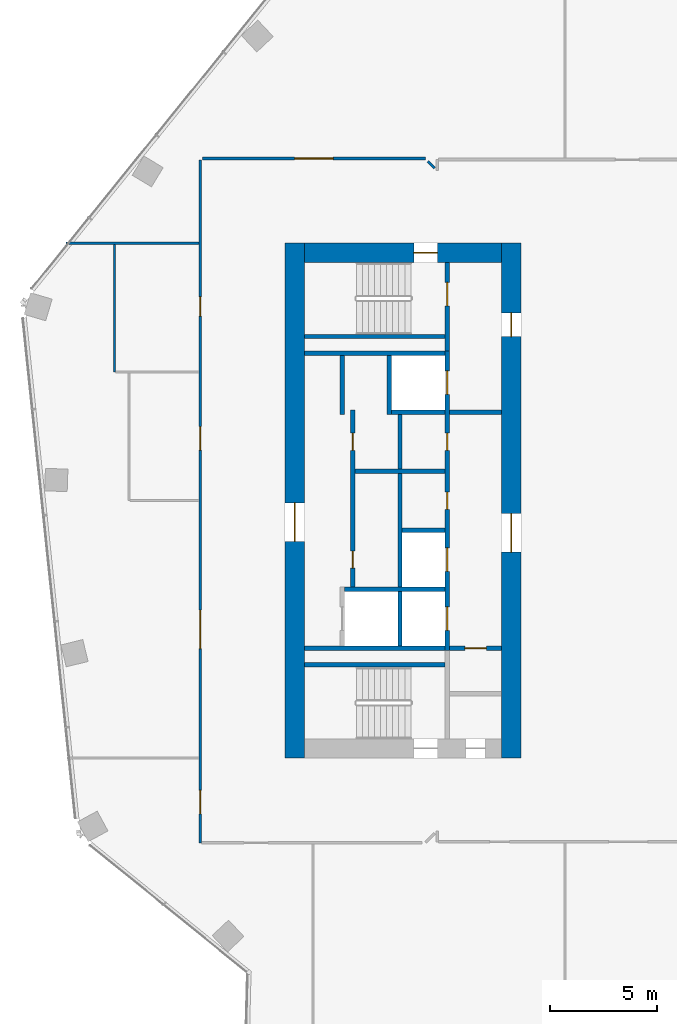
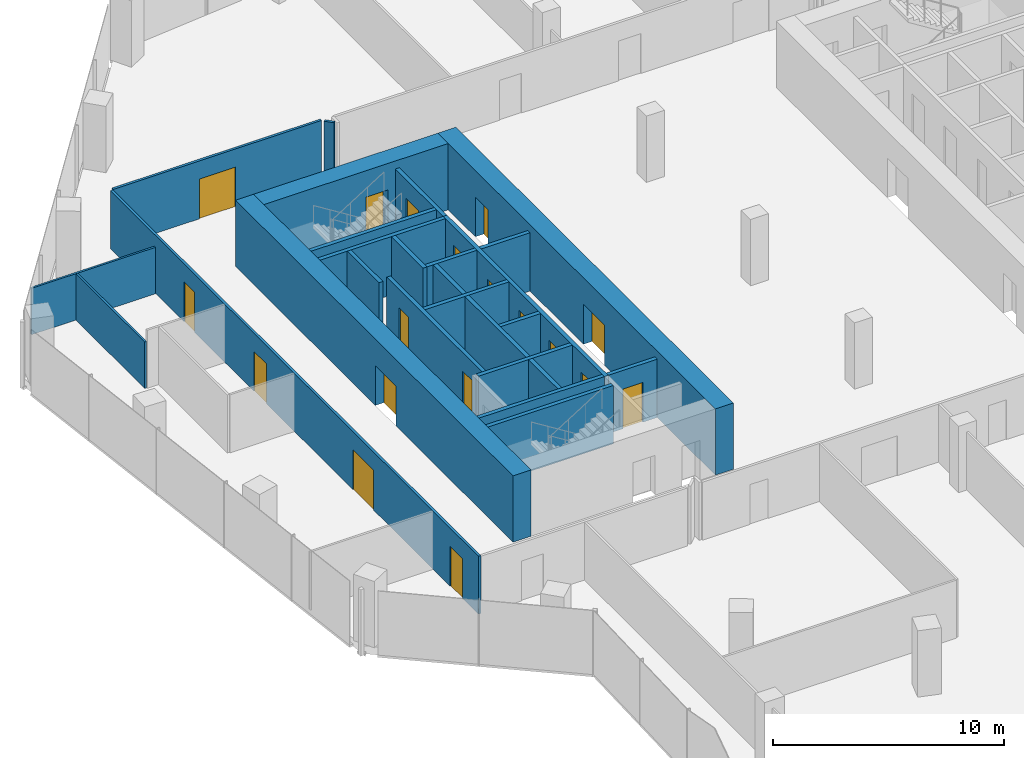
# One storey, part 19 of 23: 26 walls, 18 doors, 18 openings.
"""IFC4 building model written with IfcOpenShell, lengths in metres."""

import ifcopenshell
import ifcopenshell.guid

model = None  # the IFC model being written
_history = None  # IfcOwnerHistory: only IFC2X3 demands one
_inside = {}  # id of a spatial element -> (the spatial element, [elements in it])
_under = {}  # id of a project, library or spatial element -> (it, [spatial elements below it])
_declared = {}  # id of a project -> (the project, [libraries it declares])
_typed = {}  # id of a type object -> (the type object, [elements of that type])
_made_of = {}  # id of a material, layer set ... -> (it, [elements and type objects made of it])


def new_model(schema):
    """Start an empty IFC model of exactly this schema.

    Asked for "IFC4X3", IfcOpenShell would pick the latest addendum, in which some entities
    have other attributes; the version numbers below select the first issue.
    IFC2X3 requires an IfcOwnerHistory on every rooted entity: one is made here for all.
    """
    global model, _history
    if schema == "IFC4X3":
        model = ifcopenshell.file(schema_version=(4, 3, 0, 0))
    else:
        model = ifcopenshell.file(schema=schema)
    _inside.clear()
    _under.clear()
    _declared.clear()
    _typed.clear()
    _made_of.clear()
    _history = None
    if model.schema == "IFC2X3":
        org = make("IfcOrganization", Name="unknown")
        user = make(
            "IfcPersonAndOrganization",
            ThePerson=make("IfcPerson", FamilyName="unknown"),
            TheOrganization=org,
        )
        app = make(
            "IfcApplication",
            ApplicationDeveloper=org,
            Version="unknown",
            ApplicationFullName="unknown",
            ApplicationIdentifier="unknown",
        )
        _history = make(
            "IfcOwnerHistory",
            OwningUser=user,
            OwningApplication=app,
            ChangeAction="ADDED",
            CreationDate=0,
        )
    return model


def make(cls, **values):
    """One entity of the class cls with the attributes given. An attribute that is None is left unset."""
    return model.create_entity(
        cls, **{name: value for name, value in values.items() if value is not None}
    )


def rooted(cls, **values):
    """An entity with a GlobalId (a new one), such as an element, a storey or a relation."""
    return make(cls, GlobalId=ifcopenshell.guid.new(), OwnerHistory=_history, **values)


def si_unit(unit_type, name, prefix=None):
    """IfcSIUnit, for example si_unit("LENGTHUNIT", "METRE", prefix="MILLI")."""
    return make("IfcSIUnit", UnitType=unit_type, Prefix=prefix, Name=name)


def assignment(units):
    """IfcUnitAssignment: the units of a project."""
    return None if units is None else make("IfcUnitAssignment", Units=units)


def point(xyz):
    """IfcCartesianPoint."""
    return None if xyz is None else make("IfcCartesianPoint", Coordinates=xyz)


def direction(xyz):
    """IfcDirection."""
    return None if xyz is None else make("IfcDirection", DirectionRatios=xyz)


def frame(location, z_axis=None, x_axis=None):
    """IfcAxis2Placement3D, a coordinate frame: its origin and axes. An axis left out is left unset."""
    return make(
        "IfcAxis2Placement3D",
        Location=point(location),
        Axis=direction(z_axis),
        RefDirection=direction(x_axis),
    )


def frame_2d(location, x_axis=None):
    """IfcAxis2Placement2D, a coordinate frame in the plane: its origin and x axis."""
    return make(
        "IfcAxis2Placement2D", Location=point(location), RefDirection=direction(x_axis)
    )


def origin():
    """The frame at (0, 0, 0) with its axes left unset."""
    return frame((0.0, 0.0, 0.0))


def place(relative_to, where):
    """IfcLocalPlacement: puts the frame where relative to a parent placement (None: the world)."""
    return make(
        "IfcLocalPlacement", PlacementRelTo=relative_to, RelativePlacement=where
    )


def context(
    kind, dimensions, precision=None, world=None, true_north=None, identifier=None
):
    """IfcGeometricRepresentationContext, for example the 3D "Model" context."""
    return make(
        "IfcGeometricRepresentationContext",
        ContextIdentifier=identifier,
        ContextType=kind,
        CoordinateSpaceDimension=dimensions,
        Precision=precision,
        WorldCoordinateSystem=world,
        TrueNorth=true_north,
    )


def subcontext(parent, identifier, kind, view, scale=None):
    """IfcGeometricRepresentationSubContext, for example "Body" below "Model"."""
    return make(
        "IfcGeometricRepresentationSubContext",
        ContextIdentifier=identifier,
        ContextType=kind,
        ParentContext=parent,
        TargetScale=scale,
        TargetView=view,
    )


def project(units=None, contexts=None):
    """IfcProject with its units and contexts."""
    return rooted(
        "IfcProject",
        Name="project",
        RepresentationContexts=contexts,
        UnitsInContext=assignment(units),
    )


def spatial(cls, under=None, at=None, **own):
    """A site, building, storey or space (cls), placed at a placement, below another one or the project."""
    s = rooted(cls, ObjectPlacement=at, **own)
    if under is not None:
        _under.setdefault(under.id(), (under, []))[1].append(s)
    return s


def profile(cls, at=None, kind="AREA", **sizes):
    """A parametric profile (cls). Its sizes go by their IFC names, for example OverallWidth=200.0."""
    return make(cls, ProfileType=kind, Position=at, **sizes)


def rectangle(**sizes):
    """IfcRectangleProfileDef."""
    return profile("IfcRectangleProfileDef", **sizes)


def extrude(swept, where, along, depth):
    """IfcExtrudedAreaSolid: the profile swept, set in the frame where, extruded along a direction by depth."""
    return make(
        "IfcExtrudedAreaSolid",
        SweptArea=swept,
        Position=where,
        ExtrudedDirection=direction(along),
        Depth=depth,
    )


def shape(context_of_items, identifier, shape_type, items):
    """IfcShapeRepresentation: the items that make up one representation, for example the "Body"."""
    return make(
        "IfcShapeRepresentation",
        ContextOfItems=context_of_items,
        RepresentationIdentifier=identifier,
        RepresentationType=shape_type,
        Items=items,
    )


def material(Name=None, Category=None):
    """IfcMaterial."""
    return make("IfcMaterial", Name=Name, Category=Category)


def layer(
    of_material, thickness, ventilated=None, Name=None, Category=None, Priority=None
):
    """IfcMaterialLayer: one layer of a wall or slab, of a material (None: an air gap)."""
    return make(
        "IfcMaterialLayer",
        Material=of_material,
        LayerThickness=thickness,
        IsVentilated=ventilated,
        Name=Name,
        Category=Category,
        Priority=Priority,
    )


def layer_set(layers, Name=None):
    """IfcMaterialLayerSet."""
    return make("IfcMaterialLayerSet", MaterialLayers=layers, LayerSetName=Name)


def made_of(thing, what):
    """Note that an element or type object is made of a material, layer set ...; save() writes the relation."""
    if what is not None:
        _made_of.setdefault(what.id(), (what, []))[1].append(thing)
    return thing


def type_object(cls, material=None, **own):
    """A type object (cls), such as IfcWallType, which elements share."""
    return made_of(rooted(cls, **own), material)


def element(
    cls,
    number,
    at=None,
    inside=None,
    cuts=None,
    type_object=None,
    material=None,
    context=None,
    identifier="Body",
    shape_type=None,
    held_by="IfcProductDefinitionShape",
    body=None,
    shapes=None,
    **own,
):
    """One element of the class cls, such as IfcWall. Its Tag is "e" and its number.

    at: its placement. inside: the storey or other place that contains it. cuts: it is an
    opening in that element (IfcRelVoidsElement). A single representation is given by context,
    identifier, shape_type and body (its items); several are given by shapes. held_by: the class
    of the entity that holds the representations. save() writes the other relations.
    """
    e = rooted(cls, Tag="e%d" % number, ObjectPlacement=at, **own)
    if body is not None:
        shapes = [shape(context, identifier, shape_type, body)]
    if shapes is not None:
        e.Representation = make(held_by, Representations=shapes)
    if inside is not None:
        _inside.setdefault(inside.id(), (inside, []))[1].append(e)
    if cuts is not None:
        rooted(
            "IfcRelVoidsElement", RelatingBuildingElement=cuts, RelatedOpeningElement=e
        )
    if type_object is not None:
        _typed.setdefault(type_object.id(), (type_object, []))[1].append(e)
    return made_of(e, material)


def fill(opening, filler):
    """IfcRelFillsElement: the door or window that sits in an opening."""
    return rooted(
        "IfcRelFillsElement",
        RelatingOpeningElement=opening,
        RelatedBuildingElement=filler,
    )


def aggregate(whole, parts):
    """IfcRelAggregates: a whole, such as a stair, and the parts it consists of."""
    return rooted("IfcRelAggregates", RelatingObject=whole, RelatedObjects=parts)


def save(model, path):
    """Write the relations noted so far, then the file.

    IfcRelAggregates (storeys below a building ...), IfcRelContainedInSpatialStructure (elements
    in a storey), IfcRelDefinesByType, IfcRelAssociatesMaterial and IfcRelDeclares: one each for
    every whole, place, type object, material and project.
    """
    for whole, parts in _under.values():
        aggregate(whole, parts)
    for where, things in _inside.values():
        rooted(
            "IfcRelContainedInSpatialStructure",
            RelatedElements=things,
            RelatingStructure=where,
        )
    for kind, things in _typed.values():
        rooted("IfcRelDefinesByType", RelatedObjects=things, RelatingType=kind)
    for what, things in _made_of.values():
        rooted("IfcRelAssociatesMaterial", RelatedObjects=things, RelatingMaterial=what)
    for by, libraries in _declared.values():
        rooted("IfcRelDeclares", RelatingContext=by, RelatedDefinitions=libraries)
    model.write(path)


model = new_model("IFC4")

# Units and contexts
model_context = context("Model", 3, precision=1e-05, world=origin(), true_north=direction((0.0, 1.0)))
body_context = subcontext(model_context, "Body", "Model", "MODEL_VIEW")
ifc_project = project(units=[si_unit("LENGTHUNIT", "METRE"), si_unit("AREAUNIT", "SQUARE_METRE"), si_unit("VOLUMEUNIT", "CUBIC_METRE"), si_unit("PLANEANGLEUNIT", "RADIAN"), si_unit("MASSUNIT", "GRAM", prefix="KILO")], contexts=[model_context])

# Site, building, storey
site_placement = place(None, origin())
site = spatial("IfcSite", under=ifc_project, at=site_placement, CompositionType="ELEMENT")
building_placement = place(site_placement, origin())
building = spatial("IfcBuilding", under=site, at=building_placement, Name="Orlundy Tower", CompositionType="ELEMENT")
storey_placement = place(building_placement, frame((0.0, 0.0, 221.0)))
storey = spatial("IfcBuildingStorey", under=building, at=storey_placement, Name="L58", CompositionType="ELEMENT", Elevation=221.0)

# Wall, opening, door
ifc_material_1 = material(Name="Concrete C60/75", Category="concrete")
ifc_layer_1 = layer(ifc_material_1, 0.89990234375)
ifc_layer_set_1 = layer_set([ifc_layer_1], Name="CORE WALL 900 C60/75")
wall_type_1 = type_object("IfcWallType", Name="CORE WALL 900 C60/75", PredefinedType="SHEAR", material=ifc_layer_set_1)
wall_1_placement = place(storey_placement, frame((-18.10009765625, 11.550048828125, 0.0), z_axis=(0.0, 0.0, 1.0), x_axis=(1.0, 0.0, 0.0)))
wall_1 = element("IfcWall", 1, at=wall_1_placement, inside=storey, type_object=wall_type_1, Name="Core wall W-N L58", PredefinedType="SHEAR", context=body_context, shape_type="SweptSolid", body=[
    extrude(rectangle(XDim=9.2001953125, YDim=0.89990234375, at=frame_2d((4.60009765625, 0.0))), origin(), (0.0, 0.0, 1.0), 3.5),
])
opening_1_placement = place(wall_1_placement, frame((5.10009765625, 0.0, 0.0)))
opening_1 = element("IfcOpeningElement", 2, at=opening_1_placement, cuts=wall_1, Name="Opening 45012", PredefinedType="OPENING", context=body_context, shape_type="SweptSolid", body=[
    extrude(rectangle(XDim=1.10009765625, YDim=2.10009765625, at=frame_2d((0.550048828125, 1.050048828125))), frame((0.0, 0.4599609375, 0.0), z_axis=(0.0, -1.0, 0.0), x_axis=(1.0, 0.0, 0.0)), (0.0, 0.0, 1.0), 0.919921875),
])
ifc_material_2 = material(Name="Steel door set", Category="steel")
door_type_1 = type_object("IfcDoorType", Name="Stair Door 1100x2100", OperationType="SINGLE_SWING_LEFT", PredefinedType="DOOR", material=ifc_material_2)
door_1_placement = place(opening_1_placement, origin())
door_1 = element("IfcDoor", 3, at=door_1_placement, inside=storey, type_object=door_type_1, Name="Stair door 45012", OperationType="SINGLE_SWING_RIGHT", OverallHeight=2.10009765625, OverallWidth=1.10009765625, PredefinedType="DOOR", context=body_context, shape_type="SweptSolid", body=[
    extrude(rectangle(XDim=1.10009765625, YDim=2.10009765625, at=frame_2d((0.550048828125, 1.050048828125))), frame((0.0, 0.02490234375, 0.0), z_axis=(0.0, -1.0, 0.0), x_axis=(1.0, 0.0, 0.0)), (0.0, 0.0, 1.0), 0.050048828125),
])
fill(opening_1, door_1)

wall_2_placement = place(storey_placement, frame((-18.550048828125, -12.0, 0.0), z_axis=(0.0, 0.0, 1.0), x_axis=(0.0, 1.0, 0.0)))
wall_2 = element("IfcWall", 4, at=wall_2_placement, inside=storey, type_object=wall_type_1, Name="Core wall W-W L58", PredefinedType="SHEAR", context=body_context, shape_type="SweptSolid", body=[
    extrude(rectangle(XDim=24.0, YDim=0.89990234375, at=frame_2d((12.0, 0.0))), origin(), (0.0, 0.0, 1.0), 3.5),
])
opening_2_placement = place(wall_2_placement, frame((10.10009765625, 0.0, 0.0)))
opening_2 = element("IfcOpeningElement", 5, at=opening_2_placement, cuts=wall_2, Name="Opening 45010", PredefinedType="OPENING", context=body_context, shape_type="SweptSolid", body=[
    extrude(rectangle(XDim=1.800048828125, YDim=2.10009765625, at=frame_2d((0.89990234375, 1.050048828125))), frame((0.0, 0.4599609375, 0.0), z_axis=(0.0, -1.0, 0.0), x_axis=(1.0, 0.0, 0.0)), (0.0, 0.0, 1.0), 0.919921875),
])
ifc_material_3 = material(Name="Timber door set", Category="wood")
door_type_2 = type_object("IfcDoorType", Name="Lobby Door 1800x2100", OperationType="DOUBLE_DOOR_DOUBLE_SWING", PredefinedType="DOOR", material=ifc_material_3)
door_2_placement = place(opening_2_placement, origin())
door_2 = element("IfcDoor", 6, at=door_2_placement, inside=storey, type_object=door_type_2, Name="Lift lobby door 45010", OperationType="SINGLE_SWING_LEFT", OverallHeight=2.10009765625, OverallWidth=1.800048828125, PredefinedType="DOOR", context=body_context, shape_type="SweptSolid", body=[
    extrude(rectangle(XDim=1.800048828125, YDim=2.10009765625, at=frame_2d((0.89990234375, 1.050048828125))), frame((0.0, 0.02490234375, 0.0), z_axis=(0.0, -1.0, 0.0), x_axis=(1.0, 0.0, 0.0)), (0.0, 0.0, 1.0), 0.050048828125),
])
fill(opening_2, door_2)

# Wall, openings, doors
wall_3_placement = place(storey_placement, frame((-8.449951171875, -12.0, 0.0), z_axis=(0.0, 0.0, 1.0), x_axis=(0.0, 1.0, 0.0)))
wall_3 = element("IfcWall", 7, at=wall_3_placement, inside=storey, type_object=wall_type_1, Name="Core wall W-E L58", PredefinedType="SHEAR", context=body_context, shape_type="SweptSolid", body=[
    extrude(rectangle(XDim=24.0, YDim=0.89990234375, at=frame_2d((12.0, 0.0))), origin(), (0.0, 0.0, 1.0), 3.5),
])
opening_3_placement = place(wall_3_placement, frame((9.60009765625, 0.0, 0.0)))
opening_3 = element("IfcOpeningElement", 8, at=opening_3_placement, cuts=wall_3, Name="Opening 45009", PredefinedType="OPENING", context=body_context, shape_type="SweptSolid", body=[
    extrude(rectangle(XDim=1.800048828125, YDim=2.10009765625, at=frame_2d((0.89990234375, 1.050048828125))), frame((0.0, 0.4599609375, 0.0), z_axis=(0.0, -1.0, 0.0), x_axis=(1.0, 0.0, 0.0)), (0.0, 0.0, 1.0), 0.919921875),
])
opening_4_placement = place(wall_3_placement, frame((19.64990234375, 0.0, 0.0)))
opening_4 = element("IfcOpeningElement", 9, at=opening_4_placement, cuts=wall_3, Name="Opening 45011", PredefinedType="OPENING", context=body_context, shape_type="SweptSolid", body=[
    extrude(rectangle(XDim=1.10009765625, YDim=2.10009765625, at=frame_2d((0.550048828125, 1.050048828125))), frame((0.0, 0.4599609375, 0.0), z_axis=(0.0, -1.0, 0.0), x_axis=(1.0, 0.0, 0.0)), (0.0, 0.0, 1.0), 0.919921875),
])
ifc_material_4 = material(Name="Steel door set", Category="steel")
door_type_3 = type_object("IfcDoorType", Name="Fire-fighting Lobby Door 1100x2100", OperationType="SINGLE_SWING_LEFT", PredefinedType="DOOR", material=ifc_material_4)
door_3_placement = place(opening_4_placement, origin())
door_3 = element("IfcDoor", 10, at=door_3_placement, inside=storey, type_object=door_type_3, Name="Fire-fighting lobby door 45011", OperationType="SINGLE_SWING_RIGHT", OverallHeight=2.10009765625, OverallWidth=1.10009765625, PredefinedType="DOOR", context=body_context, shape_type="SweptSolid", body=[
    extrude(rectangle(XDim=1.10009765625, YDim=2.10009765625, at=frame_2d((0.550048828125, 1.050048828125))), frame((0.0, 0.02490234375, 0.0), z_axis=(0.0, -1.0, 0.0), x_axis=(1.0, 0.0, 0.0)), (0.0, 0.0, 1.0), 0.050048828125),
])
fill(opening_4, door_3)
door_4_placement = place(opening_3_placement, origin())
door_4 = element("IfcDoor", 11, at=door_4_placement, inside=storey, type_object=door_type_2, Name="Lift lobby door 45009", OperationType="SINGLE_SWING_LEFT", OverallHeight=2.10009765625, OverallWidth=1.800048828125, PredefinedType="DOOR", context=body_context, shape_type="SweptSolid", body=[
    extrude(rectangle(XDim=1.800048828125, YDim=2.10009765625, at=frame_2d((0.89990234375, 1.050048828125))), frame((0.0, 0.02490234375, 0.0), z_axis=(0.0, -1.0, 0.0), x_axis=(1.0, 0.0, 0.0)), (0.0, 0.0, 1.0), 0.050048828125),
])
fill(opening_3, door_4)

# Walls
ifc_material_5 = material(Name="Gypsum board partition")
ifc_layer_2 = layer(ifc_material_5, 0.10009765625)
ifc_layer_set_2 = layer_set([ifc_layer_2], Name="Floor partition 100 B")
wall_type_2 = type_object("IfcWallType", Name="Floor partition 100 B", PredefinedType="PARTITIONING", material=ifc_layer_set_2)
wall_4_placement = place(storey_placement, frame((-29.20703125, 12.0, 0.0), z_axis=(0.0, 0.0, 1.0), x_axis=(1.0, 0.0, 0.0)))
element("IfcWall", 12, at=wall_4_placement, inside=storey, type_object=wall_type_2, Name="wall-int-L58-013", PredefinedType="PARTITIONING", context=body_context, shape_type="SweptSolid", body=[
    extrude(rectangle(XDim=6.195068359375, YDim=0.10009765625, at=frame_2d((3.09765625, 0.0))), origin(), (0.0, 0.0, 1.0), 2.448974609375),
])
wall_5_placement = place(storey_placement, frame((-26.947998046875, 6.0009765625, 0.0), z_axis=(0.0, 0.0, 1.0), x_axis=(0.0, 1.0, 0.0)))
element("IfcWall", 13, at=wall_5_placement, inside=storey, type_object=wall_type_2, Name="wall-int-L58-036", PredefinedType="PARTITIONING", context=body_context, shape_type="SweptSolid", body=[
    extrude(rectangle(XDim=5.948974609375, YDim=0.10009765625, at=frame_2d((2.974609375, 0.0))), origin(), (0.0, 0.0, 1.0), 2.448974609375),
])
ifc_material_6 = material(Name="Gypsum board partition, double layer")
ifc_layer_3 = layer(ifc_material_6, 0.125)
ifc_layer_set_3 = layer_set([ifc_layer_3], Name="Floor partition 125")
wall_type_3 = type_object("IfcWallType", Name="Floor partition 125", PredefinedType="PARTITIONING", material=ifc_layer_set_3)
wall_6_placement = place(storey_placement, frame((-12.345947265625, 15.823974609375, 0.0), z_axis=(0.0, 0.0, 1.0), x_axis=(0.707106781187, -0.707106781187, 0.0)))
element("IfcWall", 14, at=wall_6_placement, inside=storey, type_object=wall_type_3, Name="wall-int-L58-002", PredefinedType="PARTITIONING", context=body_context, shape_type="SweptSolid", body=[
    extrude(rectangle(XDim=0.4482421875, YDim=0.125, at=frame_2d((0.22412109375, 0.0))), origin(), (0.0, 0.0, 1.0), 3.06005859375),
])

# Wall, opening, door
wall_7_placement = place(storey_placement, frame((-22.844970703125, 15.950927734375, 0.0), z_axis=(0.0, 0.0, 1.0), x_axis=(1.0, 0.0, 0.0)))
wall_7 = element("IfcWall", 15, at=wall_7_placement, inside=storey, type_object=wall_type_3, Name="wall-int-L58-016", PredefinedType="PARTITIONING", context=body_context, shape_type="SweptSolid", body=[
    extrude(rectangle(XDim=10.385009765625, YDim=0.125, at=frame_2d((5.1923828125, 0.0))), origin(), (0.0, 0.0, 1.0), 3.06005859375),
])
opening_5_placement = place(wall_7_placement, frame((4.28759765625, 0.0, 0.0)))
opening_5 = element("IfcOpeningElement", 16, at=opening_5_placement, cuts=wall_7, Name="Opening 45114", PredefinedType="OPENING", context=body_context, shape_type="SweptSolid", body=[
    extrude(rectangle(XDim=1.800048828125, YDim=2.10009765625, at=frame_2d((0.89990234375, 1.050048828125))), frame((0.0, 0.072509765625, 0.0), z_axis=(0.0, -1.0, 0.0), x_axis=(1.0, 0.0, 0.0)), (0.0, 0.0, 1.0), 0.14501953125),
])
ifc_material_7 = material(Name="Timber door leaf", Category="wood")
door_type_4 = type_object("IfcDoorType", Name="Floor door double 1800 FD30S", OperationType="NOTDEFINED", PredefinedType="DOOR", material=ifc_material_7)
door_5_placement = place(opening_5_placement, origin())
door_5 = element("IfcDoor", 17, at=door_5_placement, inside=storey, type_object=door_type_4, Name="Door 45114", OperationType="DOUBLE_DOOR_SINGLE_SWING", OverallHeight=2.10009765625, OverallWidth=1.800048828125, PredefinedType="DOOR", context=body_context, shape_type="SweptSolid", body=[
    extrude(rectangle(XDim=1.800048828125, YDim=2.10009765625, at=frame_2d((0.89990234375, 1.050048828125))), frame((0.0, 0.02490234375, 0.0), z_axis=(0.0, -1.0, 0.0), x_axis=(1.0, 0.0, 0.0)), (0.0, 0.0, 1.0), 0.050048828125),
])
fill(opening_5, door_5)

# Wall, openings, doors
wall_8_placement = place(storey_placement, frame((-22.949951171875, -15.950927734375, 0.0), z_axis=(0.0, 0.0, 1.0), x_axis=(0.0, 1.0, 0.0)))
wall_8 = element("IfcWall", 18, at=wall_8_placement, inside=storey, type_object=wall_type_3, Name="wall-int-L58-034", PredefinedType="PARTITIONING", context=body_context, shape_type="SweptSolid", body=[
    extrude(rectangle(XDim=31.828857421875, YDim=0.125, at=frame_2d((15.91455078125, 0.0))), origin(), (0.0, 0.0, 1.0), 3.06005859375),
])
opening_6_placement = place(wall_8_placement, frame((1.35009765625, 0.0, 0.0)))
opening_6 = element("IfcOpeningElement", 19, at=opening_6_placement, cuts=wall_8, Name="Opening 45100", PredefinedType="OPENING", context=body_context, shape_type="SweptSolid", body=[
    extrude(rectangle(XDim=1.10009765625, YDim=2.10009765625, at=frame_2d((0.550048828125, 1.050048828125))), frame((0.0, 0.072509765625, 0.0), z_axis=(0.0, -1.0, 0.0), x_axis=(1.0, 0.0, 0.0)), (0.0, 0.0, 1.0), 0.14501953125),
])
opening_7_placement = place(wall_8_placement, frame((9.051025390625, 0.0, 0.0)))
opening_7 = element("IfcOpeningElement", 20, at=opening_7_placement, cuts=wall_8, Name="Opening 45115", PredefinedType="OPENING", context=body_context, shape_type="SweptSolid", body=[
    extrude(rectangle(XDim=1.800048828125, YDim=2.10009765625, at=frame_2d((0.89990234375, 1.050048828125))), frame((0.0, 0.072509765625, 0.0), z_axis=(0.0, -1.0, 0.0), x_axis=(1.0, 0.0, 0.0)), (0.0, 0.0, 1.0), 0.14501953125),
])
opening_8_placement = place(wall_8_placement, frame((24.552001953125, 0.0, 0.0)))
opening_8 = element("IfcOpeningElement", 21, at=opening_8_placement, cuts=wall_8, Name="Opening 45116", PredefinedType="OPENING", context=body_context, shape_type="SweptSolid", body=[
    extrude(rectangle(XDim=0.89990234375, YDim=2.10009765625, at=frame_2d((0.449951171875, 1.050048828125))), frame((0.0, 0.072509765625, 0.0), z_axis=(0.0, -1.0, 0.0), x_axis=(1.0, 0.0, 0.0)), (0.0, 0.0, 1.0), 0.14501953125),
])
opening_9_placement = place(wall_8_placement, frame((18.302978515625, 0.0, 0.0)))
opening_9 = element("IfcOpeningElement", 22, at=opening_9_placement, cuts=wall_8, Name="Opening 45117", PredefinedType="OPENING", context=body_context, shape_type="SweptSolid", body=[
    extrude(rectangle(XDim=1.10009765625, YDim=2.10009765625, at=frame_2d((0.550048828125, 1.050048828125))), frame((0.0, 0.072509765625, 0.0), z_axis=(0.0, -1.0, 0.0), x_axis=(1.0, 0.0, 0.0)), (0.0, 0.0, 1.0), 0.14501953125),
])
door_6_placement = place(opening_7_placement, origin())
door_6 = element("IfcDoor", 23, at=door_6_placement, inside=storey, type_object=door_type_4, Name="Door 45115", OperationType="DOUBLE_DOOR_SINGLE_SWING", OverallHeight=2.10009765625, OverallWidth=1.800048828125, PredefinedType="DOOR", context=body_context, shape_type="SweptSolid", body=[
    extrude(rectangle(XDim=1.800048828125, YDim=2.10009765625, at=frame_2d((0.89990234375, 1.050048828125))), frame((0.0, 0.02490234375, 0.0), z_axis=(0.0, -1.0, 0.0), x_axis=(1.0, 0.0, 0.0)), (0.0, 0.0, 1.0), 0.050048828125),
])
fill(opening_7, door_6)
ifc_material_8 = material(Name="Timber door leaf", Category="wood")
door_type_5 = type_object("IfcDoorType", Name="Floor door single 900 FD30S", OperationType="NOTDEFINED", PredefinedType="DOOR", material=ifc_material_8)
door_7_placement = place(opening_8_placement, origin())
door_7 = element("IfcDoor", 24, at=door_7_placement, inside=storey, type_object=door_type_5, Name="Door 45116", OperationType="SINGLE_SWING_RIGHT", OverallHeight=2.10009765625, OverallWidth=0.89990234375, PredefinedType="DOOR", context=body_context, shape_type="SweptSolid", body=[
    extrude(rectangle(XDim=0.89990234375, YDim=2.10009765625, at=frame_2d((0.449951171875, 1.050048828125))), frame((0.0, 0.02490234375, 0.0), z_axis=(0.0, -1.0, 0.0), x_axis=(1.0, 0.0, 0.0)), (0.0, 0.0, 1.0), 0.050048828125),
])
fill(opening_8, door_7)
ifc_material_9 = material(Name="Timber door leaf", Category="wood")
door_type_6 = type_object("IfcDoorType", Name="Floor door xwide 1100 FD30S", OperationType="NOTDEFINED", PredefinedType="DOOR", material=ifc_material_9)
door_8_placement = place(opening_6_placement, origin())
door_8 = element("IfcDoor", 25, at=door_8_placement, inside=storey, type_object=door_type_6, Name="Door 45100", OperationType="SINGLE_SWING_LEFT", OverallHeight=2.10009765625, OverallWidth=1.10009765625, PredefinedType="DOOR", context=body_context, shape_type="SweptSolid", body=[
    extrude(rectangle(XDim=1.10009765625, YDim=2.10009765625, at=frame_2d((0.550048828125, 1.050048828125))), frame((0.0, 0.02490234375, 0.0), z_axis=(0.0, -1.0, 0.0), x_axis=(1.0, 0.0, 0.0)), (0.0, 0.0, 1.0), 0.050048828125),
])
fill(opening_6, door_8)
door_9_placement = place(opening_9_placement, origin())
door_9 = element("IfcDoor", 26, at=door_9_placement, inside=storey, type_object=door_type_6, Name="Door 45117", OperationType="SINGLE_SWING_RIGHT", OverallHeight=2.10009765625, OverallWidth=1.10009765625, PredefinedType="DOOR", context=body_context, shape_type="SweptSolid", body=[
    extrude(rectangle(XDim=1.10009765625, YDim=2.10009765625, at=frame_2d((0.550048828125, 1.050048828125))), frame((0.0, 0.02490234375, 0.0), z_axis=(0.0, -1.0, 0.0), x_axis=(1.0, 0.0, 0.0)), (0.0, 0.0, 1.0), 0.050048828125),
])
fill(opening_9, door_9)

# Wall, opening, door
ifc_material_10 = material(Name="Concrete C40/50", Category="concrete")
ifc_layer_4 = layer(ifc_material_10, 0.199951171875)
ifc_layer_set_4 = layer_set([ifc_layer_4], Name="Load-bearing Shaft Wall 200")
wall_type_4 = type_object("IfcWallType", Name="Load-bearing Shaft Wall 200", PredefinedType="SOLIDWALL", material=ifc_layer_set_4)
wall_9_placement = place(storey_placement, frame((-11.43994140625, 6.97509765625, 0.0), z_axis=(0.0, 0.0, 1.0), x_axis=(0.0, 1.0, 0.0)))
wall_9 = element("IfcWall", 27, at=wall_9_placement, inside=storey, type_object=wall_type_4, Name="Shaft wall W45-stair-end-n", PredefinedType="SOLIDWALL", context=body_context, shape_type="SweptSolid", body=[
    extrude(rectangle(XDim=4.125, YDim=0.199951171875, at=frame_2d((2.0625, 0.0))), origin(), (0.0, 0.0, 1.0), 3.080078125),
])
opening_10_placement = place(wall_9_placement, frame((2.10009765625, 0.0, 0.0)))
opening_10 = element("IfcOpeningElement", 28, at=opening_10_placement, cuts=wall_9, Name="Opening 45014", PredefinedType="OPENING", context=body_context, shape_type="SweptSolid", body=[
    extrude(rectangle(XDim=1.10009765625, YDim=2.10009765625, at=frame_2d((0.550048828125, 1.050048828125))), frame((0.0, 0.110107421875, 0.0), z_axis=(0.0, -1.0, 0.0), x_axis=(1.0, 0.0, 0.0)), (0.0, 0.0, 1.0), 0.22021484375),
])
door_10_placement = place(opening_10_placement, origin())
door_10 = element("IfcDoor", 29, at=door_10_placement, inside=storey, type_object=door_type_3, Name="Fire-fighting lobby to stair door 45014", OperationType="SINGLE_SWING_RIGHT", OverallHeight=2.10009765625, OverallWidth=1.10009765625, PredefinedType="DOOR", context=body_context, shape_type="SweptSolid", body=[
    extrude(rectangle(XDim=1.10009765625, YDim=2.10009765625, at=frame_2d((0.550048828125, 1.050048828125))), frame((0.0, 0.02490234375, 0.0), z_axis=(0.0, -1.0, 0.0), x_axis=(1.0, 0.0, 0.0)), (0.0, 0.0, 1.0), 0.050048828125),
])
fill(opening_10, door_10)

# Walls
for number, where, z_axis, x_axis, name in (
    (30, (-11.5400390625, 7.64990234375, 0.0), (0.0, 0.0, 1.0), (-1.0, 0.0, 0.0), "Shaft wall W45-stair-side-n"),
    (31, (-11.5400390625, -7.64990234375, 0.0), (0.0, 0.0, 1.0), (-1.0, 0.0, 0.0), "Shaft wall W45-stair-side-s"),
):
    element("IfcWall", number, at=place(storey_placement, frame(where, z_axis=z_axis, x_axis=x_axis)), inside=storey, type_object=wall_type_4, Name=name, PredefinedType="SOLIDWALL", context=body_context, shape_type="SweptSolid", body=[
        extrude(rectangle(XDim=6.56005859375, YDim=0.199951171875, at=frame_2d((3.280029296875, 0.0))), origin(), (0.0, 0.0, 1.0), 3.080078125),
    ])
ifc_material_11 = material(Name="Gypsum board partition on steel studs", Category="steel")
ifc_layer_5 = layer(ifc_material_11, 0.199951171875)
ifc_layer_set_5 = layer_set([ifc_layer_5], Name="Partition 200")
wall_type_5 = type_object("IfcWallType", Name="Partition 200", PredefinedType="PARTITIONING", material=ifc_layer_set_5)
wall_10_placement = place(storey_placement, frame((-8.89990234375, 4.125, 0.0), z_axis=(0.0, 0.0, 1.0), x_axis=(-1.0, 0.0, 0.0)))
element("IfcWall", 32, at=wall_10_placement, inside=storey, type_object=wall_type_5, Name="Partition wall W45-lobby-n", PredefinedType="PARTITIONING", context=body_context, shape_type="SweptSolid", body=[
    extrude(rectangle(XDim=2.440185546875, YDim=0.199951171875, at=frame_2d((1.22021484375, 0.0))), origin(), (0.0, 0.0, 1.0), 3.080078125),
])

# Wall, opening, door
wall_11_placement = place(storey_placement, frame((-8.89990234375, -6.875, 0.0), z_axis=(0.0, 0.0, 1.0), x_axis=(-1.0, 0.0, 0.0)))
wall_11 = element("IfcWall", 33, at=wall_11_placement, inside=storey, type_object=wall_type_5, Name="Partition wall W45-end-s", PredefinedType="PARTITIONING", context=body_context, shape_type="SweptSolid", body=[
    extrude(rectangle(XDim=2.440185546875, YDim=0.199951171875, at=frame_2d((1.22021484375, 0.0))), origin(), (0.0, 0.0, 1.0), 3.080078125),
])
opening_11_placement = place(wall_11_placement, frame((0.719970703125, 0.0, 0.0)))
opening_11 = element("IfcOpeningElement", 34, at=opening_11_placement, cuts=wall_11, Name="Opening 45016", PredefinedType="OPENING", context=body_context, shape_type="SweptSolid", body=[
    extrude(rectangle(XDim=1.0, YDim=2.10009765625, at=frame_2d((0.5, 1.050048828125))), frame((0.0, 0.110107421875, 0.0), z_axis=(0.0, -1.0, 0.0), x_axis=(1.0, 0.0, 0.0)), (0.0, 0.0, 1.0), 0.22021484375),
])
ifc_material_12 = material(Name="Timber door set", Category="wood")
door_type_7 = type_object("IfcDoorType", Name="Accessible Door 1000x2100", OperationType="SINGLE_SWING_LEFT", PredefinedType="DOOR", material=ifc_material_12)
door_11_placement = place(opening_11_placement, origin())
door_11 = element("IfcDoor", 35, at=door_11_placement, inside=storey, type_object=door_type_7, Name="Accessible WC door 45016", OperationType="SINGLE_SWING_RIGHT", OverallHeight=2.10009765625, OverallWidth=1.0, PredefinedType="DOOR", context=body_context, shape_type="SweptSolid", body=[
    extrude(rectangle(XDim=1.0, YDim=2.10009765625, at=frame_2d((0.5, 1.050048828125))), frame((0.0, 0.02490234375, 0.0), z_axis=(0.0, -1.0, 0.0), x_axis=(1.0, 0.0, 0.0)), (0.0, 0.0, 1.0), 0.050048828125),
])
fill(opening_11, door_11)

# Walls
ifc_material_13 = material(Name="Fire-rated blockwork shaft wall", Category="masonry")
ifc_layer_6 = layer(ifc_material_13, 0.199951171875)
ifc_layer_set_6 = layer_set([ifc_layer_6], Name="Shaft Wall 200")
wall_type_6 = type_object("IfcWallType", Name="Shaft Wall 200", PredefinedType="SOLIDWALL", material=ifc_layer_set_6)
for number, where, z_axis, x_axis, name in (
    (36, (-11.5400390625, 6.875, 0.0), (0.0, 0.0, 1.0), (-1.0, 0.0, 0.0), "Shaft wall W45-zone-n"),
    (37, (-11.5400390625, -6.875, 0.0), (0.0, 0.0, 1.0), (-1.0, 0.0, 0.0), "Shaft wall W45-zone-s"),
):
    element("IfcWall", number, at=place(storey_placement, frame(where, z_axis=z_axis, x_axis=x_axis)), inside=storey, type_object=wall_type_6, Name=name, PredefinedType="SOLIDWALL", context=body_context, shape_type="SweptSolid", body=[
        extrude(rectangle(XDim=6.56005859375, YDim=0.199951171875, at=frame_2d((3.280029296875, 0.0))), origin(), (0.0, 0.0, 1.0), 3.080078125),
    ])
wall_12_placement = place(storey_placement, frame((-11.5400390625, -4.125, 0.0), z_axis=(0.0, 0.0, 1.0), x_axis=(-1.0, 0.0, 0.0)))
element("IfcWall", 38, at=wall_12_placement, inside=storey, type_object=wall_type_6, Name="Shaft wall W45-cross-4.125", PredefinedType="SOLIDWALL", context=body_context, shape_type="SweptSolid", body=[
    extrude(rectangle(XDim=4.699951171875, YDim=0.199951171875, at=frame_2d((2.35009765625, 0.0))), origin(), (0.0, 0.0, 1.0), 3.080078125),
])
wall_13_placement = place(storey_placement, frame((-11.5400390625, -1.375, 0.0), z_axis=(0.0, 0.0, 1.0), x_axis=(-1.0, 0.0, 0.0)))
element("IfcWall", 39, at=wall_13_placement, inside=storey, type_object=wall_type_6, Name="Shaft wall W45-cross-1.375", PredefinedType="SOLIDWALL", context=body_context, shape_type="SweptSolid", body=[
    extrude(rectangle(XDim=2.0, YDim=0.199951171875, at=frame_2d((1.0, 0.0))), origin(), (0.0, 0.0, 1.0), 3.080078125),
])
wall_14_placement = place(storey_placement, frame((-11.5400390625, 1.375, 0.0), z_axis=(0.0, 0.0, 1.0), x_axis=(-1.0, 0.0, 0.0)))
element("IfcWall", 40, at=wall_14_placement, inside=storey, type_object=wall_type_6, Name="Shaft wall W45-cross+1.375", PredefinedType="SOLIDWALL", context=body_context, shape_type="SweptSolid", body=[
    extrude(rectangle(XDim=4.199951171875, YDim=0.199951171875, at=frame_2d((2.10009765625, 0.0))), origin(), (0.0, 0.0, 1.0), 3.080078125),
])
wall_15_placement = place(storey_placement, frame((-11.5400390625, 4.125, 0.0), z_axis=(0.0, 0.0, 1.0), x_axis=(-1.0, 0.0, 0.0)))
element("IfcWall", 41, at=wall_15_placement, inside=storey, type_object=wall_type_6, Name="Shaft wall W45-cross+4.125", PredefinedType="SOLIDWALL", context=body_context, shape_type="SweptSolid", body=[
    extrude(rectangle(XDim=2.5, YDim=0.199951171875, at=frame_2d((1.25, 0.0))), origin(), (0.0, 0.0, 1.0), 3.080078125),
])

# Wall, openings, doors
wall_16_placement = place(storey_placement, frame((-11.43994140625, -6.97509765625, 0.0), z_axis=(0.0, 0.0, 1.0), x_axis=(0.0, 1.0, 0.0)))
wall_16 = element("IfcWall", 42, at=wall_16_placement, inside=storey, type_object=wall_type_6, Name="Shaft wall W45-front-h", PredefinedType="SOLIDWALL", context=body_context, shape_type="SweptSolid", body=[
    extrude(rectangle(XDim=13.9501953125, YDim=0.199951171875, at=frame_2d((6.97509765625, 0.0))), origin(), (0.0, 0.0, 1.0), 3.080078125),
])
opening_12_placement = place(wall_16_placement, frame((0.925048828125, 0.0, 0.0)))
opening_12 = element("IfcOpeningElement", 43, at=opening_12_placement, cuts=wall_16, Name="Opening 45001", PredefinedType="OPENING", context=body_context, shape_type="SweptSolid", body=[
    extrude(rectangle(XDim=1.10009765625, YDim=2.10009765625, at=frame_2d((0.550048828125, 1.050048828125))), frame((0.0, 0.110107421875, 0.0), z_axis=(0.0, -1.0, 0.0), x_axis=(1.0, 0.0, 0.0)), (0.0, 0.0, 1.0), 0.22021484375),
])
opening_13_placement = place(wall_16_placement, frame((3.675048828125, 0.0, 0.0)))
opening_13 = element("IfcOpeningElement", 44, at=opening_13_placement, cuts=wall_16, Name="Opening 45003", PredefinedType="OPENING", context=body_context, shape_type="SweptSolid", body=[
    extrude(rectangle(XDim=1.10009765625, YDim=2.10009765625, at=frame_2d((0.550048828125, 1.050048828125))), frame((0.0, 0.110107421875, 0.0), z_axis=(0.0, -1.0, 0.0), x_axis=(1.0, 0.0, 0.0)), (0.0, 0.0, 1.0), 0.22021484375),
])
opening_14_placement = place(wall_16_placement, frame((11.925048828125, 0.0, 0.0)))
opening_14 = element("IfcOpeningElement", 45, at=opening_14_placement, cuts=wall_16, Name="Opening 45004", PredefinedType="OPENING", context=body_context, shape_type="SweptSolid", body=[
    extrude(rectangle(XDim=1.10009765625, YDim=2.10009765625, at=frame_2d((0.550048828125, 1.050048828125))), frame((0.0, 0.110107421875, 0.0), z_axis=(0.0, -1.0, 0.0), x_axis=(1.0, 0.0, 0.0)), (0.0, 0.0, 1.0), 0.22021484375),
])
opening_15_placement = place(wall_16_placement, frame((6.574951171875, 0.0, 0.0)))
opening_15 = element("IfcOpeningElement", 46, at=opening_15_placement, cuts=wall_16, Name="Opening 45006", PredefinedType="OPENING", context=body_context, shape_type="SweptSolid", body=[
    extrude(rectangle(XDim=0.800048828125, YDim=2.10009765625, at=frame_2d((0.39990234375, 1.050048828125))), frame((0.0, 0.110107421875, 0.0), z_axis=(0.0, -1.0, 0.0), x_axis=(1.0, 0.0, 0.0)), (0.0, 0.0, 1.0), 0.22021484375),
])
opening_16_placement = place(wall_16_placement, frame((9.324951171875, 0.0, 0.0)))
opening_16 = element("IfcOpeningElement", 47, at=opening_16_placement, cuts=wall_16, Name="Opening 45007", PredefinedType="OPENING", context=body_context, shape_type="SweptSolid", body=[
    extrude(rectangle(XDim=0.800048828125, YDim=2.10009765625, at=frame_2d((0.39990234375, 1.050048828125))), frame((0.0, 0.110107421875, 0.0), z_axis=(0.0, -1.0, 0.0), x_axis=(1.0, 0.0, 0.0)), (0.0, 0.0, 1.0), 0.22021484375),
])
ifc_material_14 = material(Name="Steel door set", Category="steel")
door_type_8 = type_object("IfcDoorType", Name="Landing Door 1100x2100", OperationType="DOUBLE_DOOR_SLIDING", PredefinedType="DOOR", material=ifc_material_14)
door_12_placement = place(opening_12_placement, origin())
door_12 = element("IfcDoor", 48, at=door_12_placement, inside=storey, type_object=door_type_8, Name="Lift landing door LP-22 45001", OperationType="DOUBLE_DOOR_SLIDING", OverallHeight=2.10009765625, OverallWidth=1.10009765625, PredefinedType="DOOR", context=body_context, shape_type="SweptSolid", body=[
    extrude(rectangle(XDim=1.10009765625, YDim=2.10009765625, at=frame_2d((0.550048828125, 1.050048828125))), frame((0.0, 0.02490234375, 0.0), z_axis=(0.0, -1.0, 0.0), x_axis=(1.0, 0.0, 0.0)), (0.0, 0.0, 1.0), 0.050048828125),
])
fill(opening_12, door_12)
door_13_placement = place(opening_13_placement, origin())
door_13 = element("IfcDoor", 49, at=door_13_placement, inside=storey, type_object=door_type_8, Name="Lift landing door LP-21 45003", OperationType="DOUBLE_DOOR_SLIDING", OverallHeight=2.10009765625, OverallWidth=1.10009765625, PredefinedType="DOOR", context=body_context, shape_type="SweptSolid", body=[
    extrude(rectangle(XDim=1.10009765625, YDim=2.10009765625, at=frame_2d((0.550048828125, 1.050048828125))), frame((0.0, 0.02490234375, 0.0), z_axis=(0.0, -1.0, 0.0), x_axis=(1.0, 0.0, 0.0)), (0.0, 0.0, 1.0), 0.050048828125),
])
fill(opening_13, door_13)
door_14_placement = place(opening_14_placement, origin())
door_14 = element("IfcDoor", 50, at=door_14_placement, inside=storey, type_object=door_type_8, Name="Lift landing door FL1 45004", OperationType="DOUBLE_DOOR_SLIDING", OverallHeight=2.10009765625, OverallWidth=1.10009765625, PredefinedType="DOOR", context=body_context, shape_type="SweptSolid", body=[
    extrude(rectangle(XDim=1.10009765625, YDim=2.10009765625, at=frame_2d((0.550048828125, 1.050048828125))), frame((0.0, 0.02490234375, 0.0), z_axis=(0.0, -1.0, 0.0), x_axis=(1.0, 0.0, 0.0)), (0.0, 0.0, 1.0), 0.050048828125),
])
fill(opening_14, door_14)
ifc_material_15 = material(Name="Timber door set", Category="wood")
door_type_9 = type_object("IfcDoorType", Name="Riser Door 800x2100", OperationType="SINGLE_SWING_LEFT", PredefinedType="DOOR", material=ifc_material_15)
door_15_placement = place(opening_15_placement, origin())
door_15 = element("IfcDoor", 51, at=door_15_placement, inside=storey, type_object=door_type_9, Name="Security Store door 45006", OperationType="SINGLE_SWING_LEFT", OverallHeight=2.10009765625, OverallWidth=0.800048828125, PredefinedType="DOOR", context=body_context, shape_type="SweptSolid", body=[
    extrude(rectangle(XDim=0.800048828125, YDim=2.10009765625, at=frame_2d((0.39990234375, 1.050048828125))), frame((0.0, 0.02490234375, 0.0), z_axis=(0.0, -1.0, 0.0), x_axis=(1.0, 0.0, 0.0)), (0.0, 0.0, 1.0), 0.050048828125),
])
fill(opening_15, door_15)
door_16_placement = place(opening_16_placement, origin())
door_16 = element("IfcDoor", 52, at=door_16_placement, inside=storey, type_object=door_type_9, Name="Furniture Store door 45007", OperationType="SINGLE_SWING_LEFT", OverallHeight=2.10009765625, OverallWidth=0.800048828125, PredefinedType="DOOR", context=body_context, shape_type="SweptSolid", body=[
    extrude(rectangle(XDim=0.800048828125, YDim=2.10009765625, at=frame_2d((0.39990234375, 1.050048828125))), frame((0.0, 0.02490234375, 0.0), z_axis=(0.0, -1.0, 0.0), x_axis=(1.0, 0.0, 0.0)), (0.0, 0.0, 1.0), 0.050048828125),
])
fill(opening_16, door_16)

# Walls
wall_17_placement = place(storey_placement, frame((-13.639892578125, -6.77490234375, 0.0), z_axis=(0.0, 0.0, 1.0), x_axis=(0.0, 1.0, 0.0)))
element("IfcWall", 53, at=wall_17_placement, inside=storey, type_object=wall_type_6, Name="Shaft wall W45-mid-a", PredefinedType="SOLIDWALL", context=body_context, shape_type="SweptSolid", body=[
    extrude(rectangle(XDim=2.5498046875, YDim=0.199951171875, at=frame_2d((1.27490234375, 0.0))), origin(), (0.0, 0.0, 1.0), 3.080078125),
])
wall_18_placement = place(storey_placement, frame((-13.639892578125, -4.02490234375, 0.0), z_axis=(0.0, 0.0, 1.0), x_axis=(0.0, 1.0, 0.0)))
element("IfcWall", 54, at=wall_18_placement, inside=storey, type_object=wall_type_6, Name="Shaft wall W45-mid-a.1", PredefinedType="SOLIDWALL", context=body_context, shape_type="SweptSolid", body=[
    extrude(rectangle(XDim=5.2998046875, YDim=0.199951171875, at=frame_2d((2.64990234375, 0.0))), origin(), (0.0, 0.0, 1.0), 3.080078125),
])
wall_19_placement = place(storey_placement, frame((-13.639892578125, 1.47509765625, 0.0), z_axis=(0.0, 0.0, 1.0), x_axis=(0.0, 1.0, 0.0)))
element("IfcWall", 55, at=wall_19_placement, inside=storey, type_object=wall_type_6, Name="Shaft wall W45-mid-a.2", PredefinedType="SOLIDWALL", context=body_context, shape_type="SweptSolid", body=[
    extrude(rectangle(XDim=2.5498046875, YDim=0.199951171875, at=frame_2d((1.27490234375, 0.0))), origin(), (0.0, 0.0, 1.0), 3.080078125),
])
wall_20_placement = place(storey_placement, frame((-14.139892578125, 4.02490234375, 0.0), z_axis=(0.0, 0.0, 1.0), x_axis=(0.0, 1.0, 0.0)))
element("IfcWall", 56, at=wall_20_placement, inside=storey, type_object=wall_type_6, Name="Shaft wall W45-mid-b", PredefinedType="SOLIDWALL", context=body_context, shape_type="SweptSolid", body=[
    extrude(rectangle(XDim=2.75, YDim=0.199951171875, at=frame_2d((1.375, 0.0))), origin(), (0.0, 0.0, 1.0), 3.080078125),
])

# Wall, openings, doors
wall_21_placement = place(storey_placement, frame((-15.840087890625, -4.02490234375, 0.0), z_axis=(0.0, 0.0, 1.0), x_axis=(0.0, 1.0, 0.0)))
wall_21 = element("IfcWall", 57, at=wall_21_placement, inside=storey, type_object=wall_type_6, Name="Shaft wall W45-front-o-b", PredefinedType="SOLIDWALL", context=body_context, shape_type="SweptSolid", body=[
    extrude(rectangle(XDim=8.25, YDim=0.199951171875, at=frame_2d((4.125, 0.0))), origin(), (0.0, 0.0, 1.0), 3.080078125),
])
opening_17_placement = place(wall_21_placement, frame((0.875, 0.0, 0.0)))
opening_17 = element("IfcOpeningElement", 58, at=opening_17_placement, cuts=wall_21, Name="Opening 45005", PredefinedType="OPENING", context=body_context, shape_type="SweptSolid", body=[
    extrude(rectangle(XDim=0.800048828125, YDim=2.10009765625, at=frame_2d((0.39990234375, 1.050048828125))), frame((0.0, 0.110107421875, 0.0), z_axis=(0.0, -1.0, 0.0), x_axis=(1.0, 0.0, 0.0)), (0.0, 0.0, 1.0), 0.22021484375),
])
opening_18_placement = place(wall_21_placement, frame((6.375, 0.0, 0.0)))
opening_18 = element("IfcOpeningElement", 59, at=opening_18_placement, cuts=wall_21, Name="Opening 45008", PredefinedType="OPENING", context=body_context, shape_type="SweptSolid", body=[
    extrude(rectangle(XDim=0.800048828125, YDim=2.10009765625, at=frame_2d((0.39990234375, 1.050048828125))), frame((0.0, 0.110107421875, 0.0), z_axis=(0.0, -1.0, 0.0), x_axis=(1.0, 0.0, 0.0)), (0.0, 0.0, 1.0), 0.22021484375),
])
door_17_placement = place(opening_17_placement, origin())
door_17 = element("IfcDoor", 60, at=door_17_placement, inside=storey, type_object=door_type_9, Name="HVAC Riser door 45005", OperationType="SINGLE_SWING_LEFT", OverallHeight=2.10009765625, OverallWidth=0.800048828125, PredefinedType="DOOR", context=body_context, shape_type="SweptSolid", body=[
    extrude(rectangle(XDim=0.800048828125, YDim=2.10009765625, at=frame_2d((0.39990234375, 1.050048828125))), frame((0.0, 0.02490234375, 0.0), z_axis=(0.0, -1.0, 0.0), x_axis=(1.0, 0.0, 0.0)), (0.0, 0.0, 1.0), 0.050048828125),
])
fill(opening_17, door_17)
door_18_placement = place(opening_18_placement, origin())
door_18 = element("IfcDoor", 61, at=door_18_placement, inside=storey, type_object=door_type_9, Name="Cleaner's Store door 45008", OperationType="SINGLE_SWING_LEFT", OverallHeight=2.10009765625, OverallWidth=0.800048828125, PredefinedType="DOOR", context=body_context, shape_type="SweptSolid", body=[
    extrude(rectangle(XDim=0.800048828125, YDim=2.10009765625, at=frame_2d((0.39990234375, 1.050048828125))), frame((0.0, 0.02490234375, 0.0), z_axis=(0.0, -1.0, 0.0), x_axis=(1.0, 0.0, 0.0)), (0.0, 0.0, 1.0), 0.050048828125),
])
fill(opening_18, door_18)

# Wall
wall_22_placement = place(storey_placement, frame((-16.340087890625, 4.02490234375, 0.0), z_axis=(0.0, 0.0, 1.0), x_axis=(0.0, 1.0, 0.0)))
element("IfcWall", 62, at=wall_22_placement, inside=storey, type_object=wall_type_6, Name="Shaft wall W45-front-o-c", PredefinedType="SOLIDWALL", context=body_context, shape_type="SweptSolid", body=[
    extrude(rectangle(XDim=2.75, YDim=0.199951171875, at=frame_2d((1.375, 0.0))), origin(), (0.0, 0.0, 1.0), 3.080078125),
])

save(model, "model.ifc")
